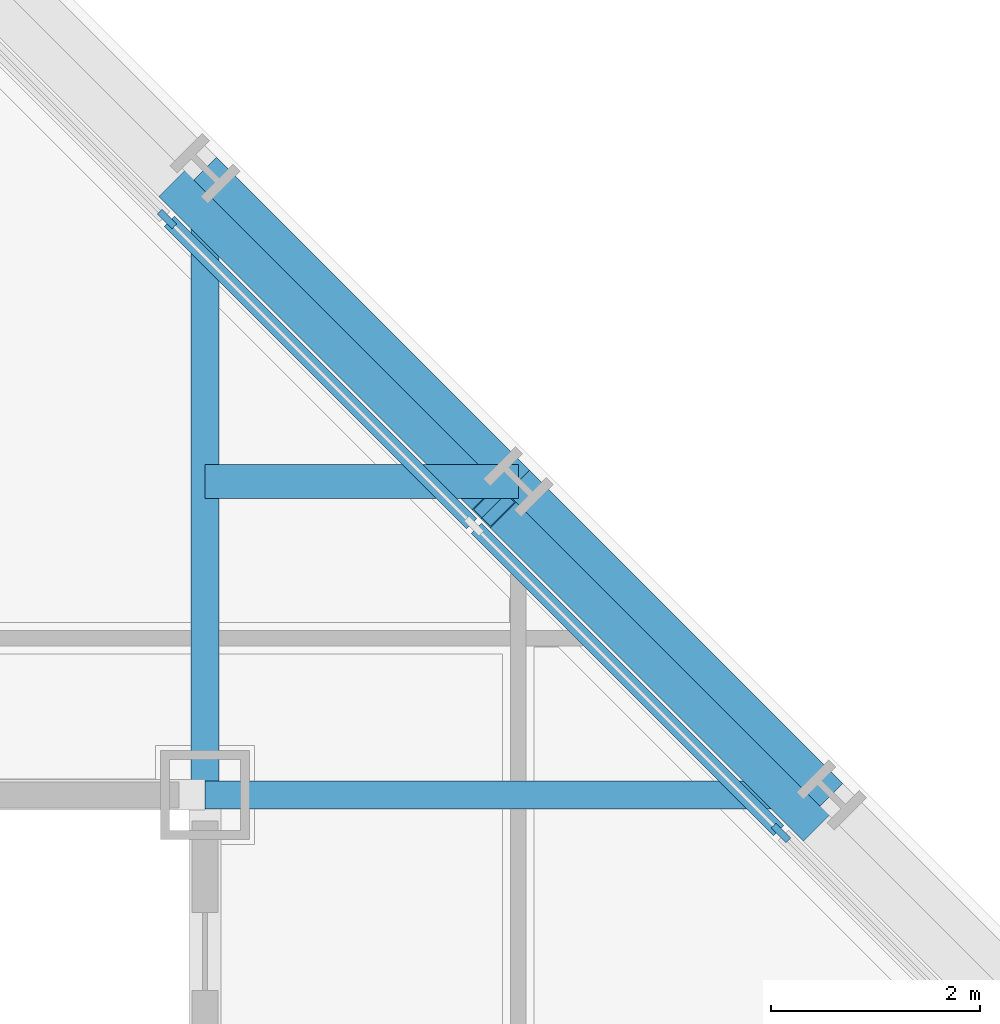
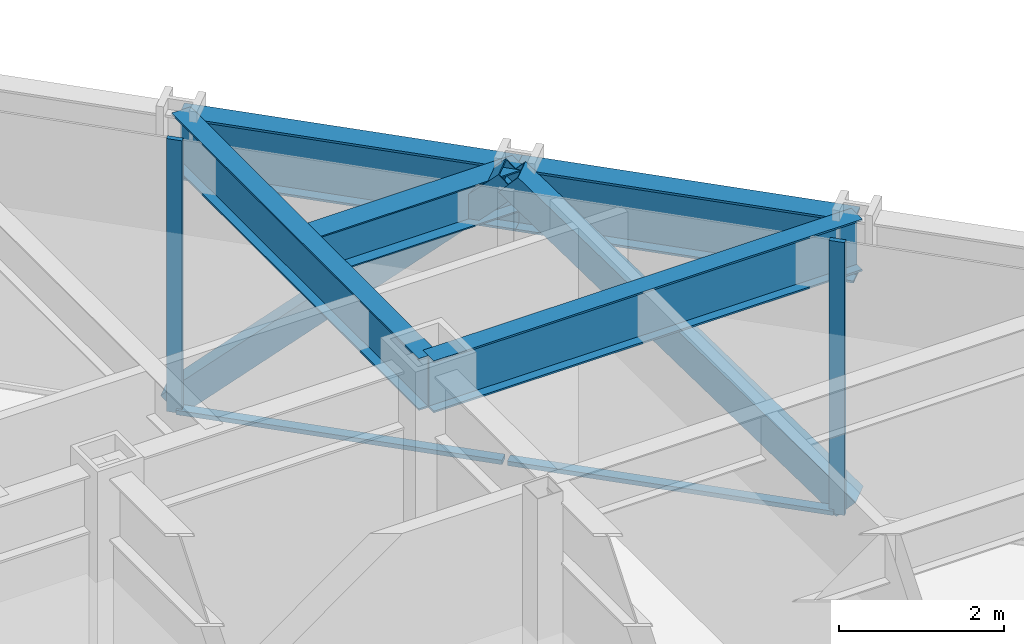
# One storey, part 9 of 16: 6 members, 5 beams, 1 element without a shape of its own.
"""IFC4 building model written with IfcOpenShell, lengths in metres."""

from ifc_helpers import new_model, si_unit, direction, frame, origin, origin_2d, place, context, subcontext, project, spatial, rectangle, hollow_rectangle, i_section, extrude, material, layer, layer_set, material_profile, profile_set, type_object, element, aggregate, save


model = new_model("IFC4")

# Units and contexts
model_context = context("Model", 3, precision=1e-05, world=origin(), true_north=direction((0.0, 1.0)))
body_context = subcontext(model_context, "Body", "Model", "MODEL_VIEW")
ifc_project = project(units=[si_unit("LENGTHUNIT", "METRE"), si_unit("AREAUNIT", "SQUARE_METRE"), si_unit("VOLUMEUNIT", "CUBIC_METRE"), si_unit("PLANEANGLEUNIT", "RADIAN"), si_unit("MASSUNIT", "GRAM", prefix="KILO")], contexts=[model_context])

# Site, building, storey
site_placement = place(None, origin())
site = spatial("IfcSite", under=ifc_project, at=site_placement, CompositionType="ELEMENT")
building_placement = place(site_placement, origin())
building = spatial("IfcBuilding", under=site, at=building_placement, Name="Chuquiago Exchange Tower", CompositionType="ELEMENT")
storey_placement = place(building_placement, frame((0.0, 0.0, 205.5)))
storey = spatial("IfcBuildingStorey", under=building, at=storey_placement, Name="L45", CompositionType="ELEMENT", Elevation=205.5)

# Beam
ifc_material_1 = material(Name="Steel ASTM A992", Category="steel")
ifc_material_profile_1 = material_profile(ifc_material_1, i_section(OverallWidth=0.3251953125, OverallDepth=0.612060546875, WebThickness=0.0126953125, FlangeThickness=0.01904296875, at=origin_2d()), Name="W24X104")
ifc_profile_set_1 = profile_set([ifc_material_profile_1], Name="Steel ASTM A992")
beam_type_1 = type_object("IfcBeamType", Name="B2 W24X104", PredefinedType="BEAM", material=ifc_profile_set_1)
beam_placement = place(storey_placement, frame((33.0, 36.0, 3.73388671875), z_axis=(1.0, 0.0, 0.0), x_axis=(0.0, 1.0, 0.0)))
element("IfcBeam", 1, at=beam_placement, inside=storey, type_object=beam_type_1, Name="FB-L46-corner-33_36-36_36-0", PredefinedType="BEAM", context=body_context, shape_type="SweptSolid", body=[
    extrude(i_section(OverallWidth=0.3251953125, OverallDepth=0.612060546875, WebThickness=0.0126953125, FlangeThickness=0.01904296875, at=origin_2d()), origin(), (0.0, 0.0, 1.0), 3.0),
])

# Curtain wall, members
ifc_material_2 = material(Name="Aluminium curtain wall system", Category="aluminium")
ifc_layer = layer(ifc_material_2, 0.199951171875)
ifc_layer_set = layer_set([ifc_layer], Name="CW3 facet curtain wall")
curtain_wall_type = type_object("IfcCurtainWallType", Name="CW3 facet curtain wall", PredefinedType="NOTDEFINED", material=ifc_layer_set)
curtain_wall_placement = place(storey_placement, origin())
curtain_wall = element("IfcCurtainWall", 2, at=curtain_wall_placement, inside=storey, type_object=curtain_wall_type, Name="CW3 curtain wall L45", PredefinedType="NOTDEFINED")
ifc_material_3 = material(Name="Aluminium mullion, pale anodised", Category="aluminium")
ifc_material_profile_2 = material_profile(ifc_material_3, rectangle(XDim=0.06494140625, YDim=0.199951171875, at=origin_2d()), Name="AL 65x200")
ifc_profile_set_2 = profile_set([ifc_material_profile_2], Name="Aluminium mullion, pale anodised")
member_type_1 = type_object("IfcMemberType", Name="CW3-M mullion 65x200", PredefinedType="MULLION", material=ifc_profile_set_2)
member_1_placement = place(storey_placement, frame((38.51708984375, 32.63427734375, 0.0), z_axis=(0.0, 0.0, 1.0), x_axis=(-0.707106781187, -0.707106781187, 0.0)))
member_1 = element("IfcMember", 3, at=member_1_placement, type_object=member_type_1, Name="CW3 mullion 3", PredefinedType="MULLION", context=body_context, shape_type="SweptSolid", body=[
    extrude(rectangle(XDim=0.06494140625, YDim=0.199951171875, at=origin_2d()), origin(), (0.0, 0.0, 1.0), 4.0400390625),
])
member_2_placement = place(storey_placement, frame((32.63427734375, 38.51708984375, 0.0), z_axis=(0.0, 0.0, 1.0), x_axis=(-0.707106781187, -0.707106781187, 0.0)))
member_2 = element("IfcMember", 4, at=member_2_placement, type_object=member_type_1, Name="CW3 mullion 5", PredefinedType="MULLION", context=body_context, shape_type="SweptSolid", body=[
    extrude(rectangle(XDim=0.06494140625, YDim=0.199951171875, at=origin_2d()), origin(), (0.0, 0.0, 1.0), 4.0400390625),
])
ifc_material_4 = material(Name="Aluminium transom, pale anodised", Category="aluminium")
ifc_material_profile_3 = material_profile(ifc_material_4, rectangle(XDim=0.139892578125, YDim=0.06494140625, at=origin_2d()), Name="AL 140x65")
ifc_profile_set_3 = profile_set([ifc_material_profile_3], Name="Aluminium transom, pale anodised")
member_type_2 = type_object("IfcMemberType", Name="CW3-T transom 65x140", PredefinedType="MULLION", material=ifc_profile_set_3)
member_3_placement = place(storey_placement, frame((38.494140625, 32.6572265625, 0.032470703125), z_axis=(-0.707106781187, 0.707106781187, 0.0), x_axis=(-0.707106781187, -0.707106781187, 0.0)))
member_3 = element("IfcMember", 5, at=member_3_placement, type_object=member_type_2, Name="CW3 transom 3.1", PredefinedType="MULLION", context=body_context, shape_type="SweptSolid", body=[
    extrude(rectangle(XDim=0.139892578125, YDim=0.06494140625, at=origin_2d()), origin(), (0.0, 0.0, 1.0), 4.094970703125),
])
member_4_placement = place(storey_placement, frame((35.552734375, 35.5986328125, 0.032470703125), z_axis=(-0.707106781187, 0.707106781187, 0.0), x_axis=(-0.707106781187, -0.707106781187, 0.0)))
member_4 = element("IfcMember", 6, at=member_4_placement, type_object=member_type_2, Name="CW3 transom 4.1", PredefinedType="MULLION", context=body_context, shape_type="SweptSolid", body=[
    extrude(rectangle(XDim=0.139892578125, YDim=0.06494140625, at=origin_2d()), origin(), (0.0, 0.0, 1.0), 4.094970703125),
])
aggregate(curtain_wall, [member_1, member_2, member_3, member_4])

# Beams
ifc_material_5 = material(Name="Steel ASTM A992", Category="steel")
ifc_material_profile_4 = material_profile(ifc_material_5, i_section(OverallWidth=0.2666015625, OverallDepth=0.76953125, WebThickness=0.015625, FlangeThickness=0.025390625, at=origin_2d()), Name="W30X132")
ifc_profile_set_4 = profile_set([ifc_material_profile_4], Name="Steel ASTM A992")
beam_type_2 = type_object("IfcBeamType", Name="G1 W30X132", PredefinedType="BEAM", material=ifc_profile_set_4)
for number, where, z_axis, x_axis, name in (
    (7, (33.0, 33.0, 3.6552734375), (0.0, 1.0, 0.0), (-1.0, 0.0, 0.0), "FB-L46-girder-33_33-33_39-0"),
    (8, (33.0, 33.0, 3.6552734375), (1.0, 0.0, 0.0), (0.0, 1.0, 0.0), "FB-L46-girder-33_33-39_33-0"),
):
    element("IfcBeam", number, at=place(storey_placement, frame(where, z_axis=z_axis, x_axis=x_axis)), inside=storey, type_object=beam_type_2, Name=name, PredefinedType="BEAM", context=body_context, shape_type="SweptSolid", body=[
        extrude(i_section(OverallWidth=0.2666015625, OverallDepth=0.76953125, WebThickness=0.015625, FlangeThickness=0.025390625, at=origin_2d()), origin(), (0.0, 0.0, 1.0), 6.0),
    ])

# Members
ifc_material_6 = material(Name="Steel ASTM A500 Grade C", Category="steel")
ifc_material_profile_5 = material_profile(ifc_material_6, hollow_rectangle(XDim=0.355712890625, YDim=0.355712890625, WallThickness=0.0146484375, at=origin_2d()), Name="HSS14X14X5/8")
ifc_profile_set_5 = profile_set([ifc_material_profile_5], Name="Steel ASTM A500 Grade C")
member_type_3 = type_object("IfcMemberType", Name="LB2 HSS14X14X5/8", PredefinedType="BRACE", material=ifc_profile_set_5)
for number, where, z_axis, x_axis, name in (
    (9, (38.7685546875, 32.7685546875, 0.0), (-0.512077265487, 0.512077265487, 0.689604051861), (-0.707106781187, -0.707106781187, 0.0), "LB-L45-39_33-36_36"),
    (10, (32.7685546875, 38.7685546875, 0.0), (0.512077265487, -0.512077265487, 0.689604051861), (0.707106781187, 0.707106781187, 0.0), "LB-L45-36_36-33_39"),
):
    element("IfcMember", number, at=place(storey_placement, frame(where, z_axis=z_axis, x_axis=x_axis)), inside=storey, type_object=member_type_3, Name=name, PredefinedType="BRACE", context=body_context, shape_type="SweptSolid", body=[
        extrude(hollow_rectangle(XDim=0.355712890625, YDim=0.355712890625, WallThickness=0.0146484375, at=origin_2d()), origin(), (0.0, 0.0, 1.0), 5.8583984375),
    ])

# Beams
ifc_material_7 = material(Name="Steel ASTM A992", Category="steel")
ifc_material_profile_6 = material_profile(ifc_material_7, i_section(OverallWidth=0.307373046875, OverallDepth=0.927001953125, WebThickness=0.01953125, FlangeThickness=0.031982421875, at=origin_2d()), Name="W36X194")
ifc_profile_set_6 = profile_set([ifc_material_profile_6], Name="Steel ASTM A992")
beam_type_3 = type_object("IfcBeamType", Name="SP3 W36X194", PredefinedType="SPANDREL", material=ifc_profile_set_6)
for number, where, z_axis, x_axis, name in (
    (11, (39.0, 33.0, 3.576416015625), (-0.707106781187, 0.707106781187, 0.0), (-0.707106781187, -0.707106781187, 0.0), "SPB-L46-39_33-36_36"),
    (12, (36.0, 36.0, 3.576416015625), (-0.707106781187, 0.707106781187, 0.0), (-0.707106781187, -0.707106781187, 0.0), "SPB-L46-36_36-33_39"),
):
    element("IfcBeam", number, at=place(storey_placement, frame(where, z_axis=z_axis, x_axis=x_axis)), inside=storey, type_object=beam_type_3, Name=name, PredefinedType="SPANDREL", context=body_context, shape_type="SweptSolid", body=[
        extrude(i_section(OverallWidth=0.307373046875, OverallDepth=0.927001953125, WebThickness=0.01953125, FlangeThickness=0.031982421875, at=origin_2d()), origin(), (0.0, 0.0, 1.0), 4.24267578125),
    ])

save(model, "model.ifc")
